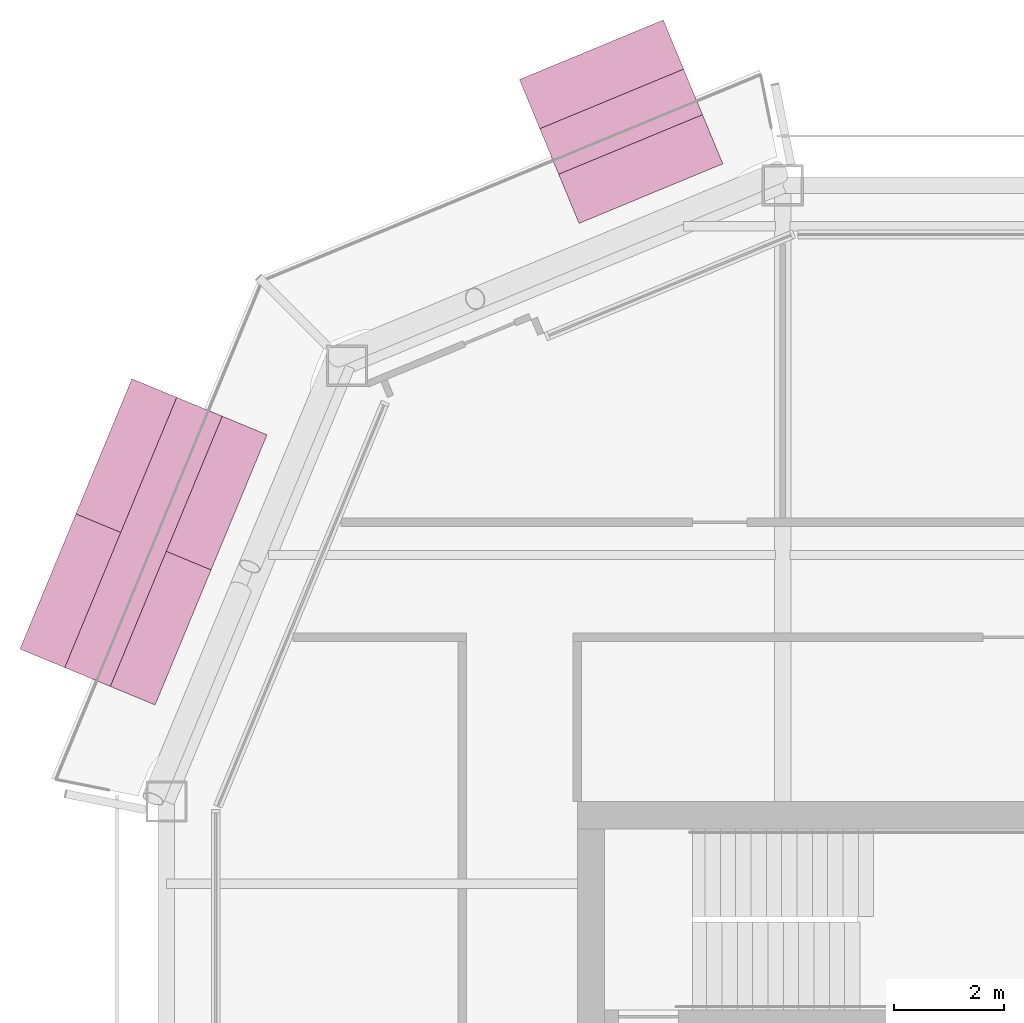
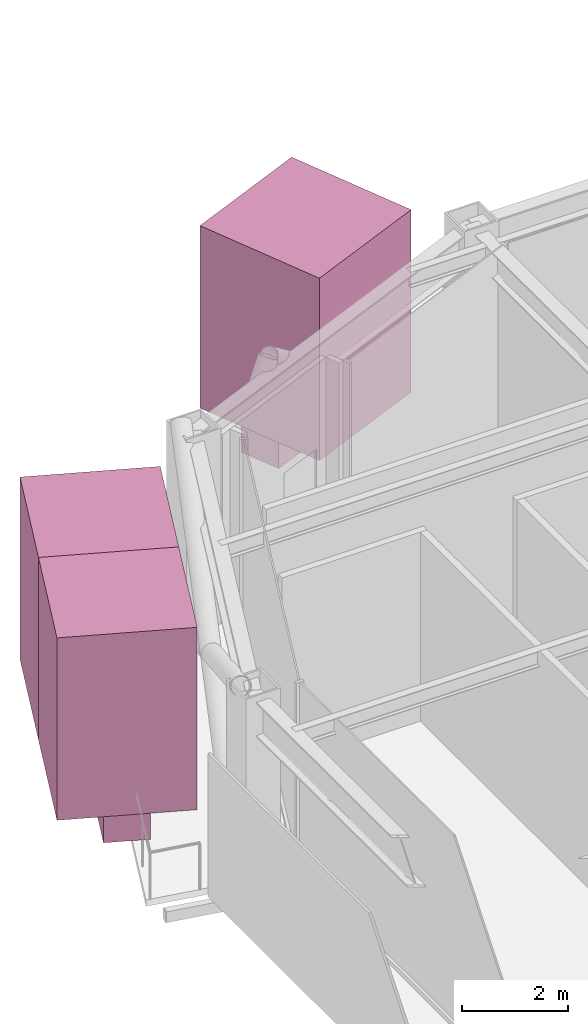
# One storey, part 21 of 21: 5 furnishings.
"""IFC4 building model written with IfcOpenShell, lengths in metres."""

import ifcopenshell
import ifcopenshell.guid

model = None  # the IFC model being written
_history = None  # IfcOwnerHistory: only IFC2X3 demands one
_inside = {}  # id of a spatial element -> (the spatial element, [elements in it])
_under = {}  # id of a project, library or spatial element -> (it, [spatial elements below it])
_declared = {}  # id of a project -> (the project, [libraries it declares])
_typed = {}  # id of a type object -> (the type object, [elements of that type])
_made_of = {}  # id of a material, layer set ... -> (it, [elements and type objects made of it])


def new_model(schema):
    """Start an empty IFC model of exactly this schema.

    Asked for "IFC4X3", IfcOpenShell would pick the latest addendum, in which some entities
    have other attributes; the version numbers below select the first issue.
    IFC2X3 requires an IfcOwnerHistory on every rooted entity: one is made here for all.
    """
    global model, _history
    if schema == "IFC4X3":
        model = ifcopenshell.file(schema_version=(4, 3, 0, 0))
    else:
        model = ifcopenshell.file(schema=schema)
    _inside.clear()
    _under.clear()
    _declared.clear()
    _typed.clear()
    _made_of.clear()
    _history = None
    if model.schema == "IFC2X3":
        org = make("IfcOrganization", Name="unknown")
        user = make(
            "IfcPersonAndOrganization",
            ThePerson=make("IfcPerson", FamilyName="unknown"),
            TheOrganization=org,
        )
        app = make(
            "IfcApplication",
            ApplicationDeveloper=org,
            Version="unknown",
            ApplicationFullName="unknown",
            ApplicationIdentifier="unknown",
        )
        _history = make(
            "IfcOwnerHistory",
            OwningUser=user,
            OwningApplication=app,
            ChangeAction="ADDED",
            CreationDate=0,
        )
    return model


def make(cls, **values):
    """One entity of the class cls with the attributes given. An attribute that is None is left unset."""
    return model.create_entity(
        cls, **{name: value for name, value in values.items() if value is not None}
    )


def rooted(cls, **values):
    """An entity with a GlobalId (a new one), such as an element, a storey or a relation."""
    return make(cls, GlobalId=ifcopenshell.guid.new(), OwnerHistory=_history, **values)


def si_unit(unit_type, name, prefix=None):
    """IfcSIUnit, for example si_unit("LENGTHUNIT", "METRE", prefix="MILLI")."""
    return make("IfcSIUnit", UnitType=unit_type, Prefix=prefix, Name=name)


def assignment(units):
    """IfcUnitAssignment: the units of a project."""
    return None if units is None else make("IfcUnitAssignment", Units=units)


def point(xyz):
    """IfcCartesianPoint."""
    return None if xyz is None else make("IfcCartesianPoint", Coordinates=xyz)


def direction(xyz):
    """IfcDirection."""
    return None if xyz is None else make("IfcDirection", DirectionRatios=xyz)


def frame(location, z_axis=None, x_axis=None):
    """IfcAxis2Placement3D, a coordinate frame: its origin and axes. An axis left out is left unset."""
    return make(
        "IfcAxis2Placement3D",
        Location=point(location),
        Axis=direction(z_axis),
        RefDirection=direction(x_axis),
    )


def frame_2d(location, x_axis=None):
    """IfcAxis2Placement2D, a coordinate frame in the plane: its origin and x axis."""
    return make(
        "IfcAxis2Placement2D", Location=point(location), RefDirection=direction(x_axis)
    )


def origin():
    """The frame at (0, 0, 0) with its axes left unset."""
    return frame((0.0, 0.0, 0.0))


def origin_2d():
    """The frame at (0, 0) in the plane with its x axis left unset."""
    return frame_2d((0.0, 0.0))


def place(relative_to, where):
    """IfcLocalPlacement: puts the frame where relative to a parent placement (None: the world)."""
    return make(
        "IfcLocalPlacement", PlacementRelTo=relative_to, RelativePlacement=where
    )


def context(
    kind, dimensions, precision=None, world=None, true_north=None, identifier=None
):
    """IfcGeometricRepresentationContext, for example the 3D "Model" context."""
    return make(
        "IfcGeometricRepresentationContext",
        ContextIdentifier=identifier,
        ContextType=kind,
        CoordinateSpaceDimension=dimensions,
        Precision=precision,
        WorldCoordinateSystem=world,
        TrueNorth=true_north,
    )


def subcontext(parent, identifier, kind, view, scale=None):
    """IfcGeometricRepresentationSubContext, for example "Body" below "Model"."""
    return make(
        "IfcGeometricRepresentationSubContext",
        ContextIdentifier=identifier,
        ContextType=kind,
        ParentContext=parent,
        TargetScale=scale,
        TargetView=view,
    )


def project(units=None, contexts=None):
    """IfcProject with its units and contexts."""
    return rooted(
        "IfcProject",
        Name="project",
        RepresentationContexts=contexts,
        UnitsInContext=assignment(units),
    )


def spatial(cls, under=None, at=None, **own):
    """A site, building, storey or space (cls), placed at a placement, below another one or the project."""
    s = rooted(cls, ObjectPlacement=at, **own)
    if under is not None:
        _under.setdefault(under.id(), (under, []))[1].append(s)
    return s


def profile(cls, at=None, kind="AREA", **sizes):
    """A parametric profile (cls). Its sizes go by their IFC names, for example OverallWidth=200.0."""
    return make(cls, ProfileType=kind, Position=at, **sizes)


def rectangle(**sizes):
    """IfcRectangleProfileDef."""
    return profile("IfcRectangleProfileDef", **sizes)


def extrude(swept, where, along, depth):
    """IfcExtrudedAreaSolid: the profile swept, set in the frame where, extruded along a direction by depth."""
    return make(
        "IfcExtrudedAreaSolid",
        SweptArea=swept,
        Position=where,
        ExtrudedDirection=direction(along),
        Depth=depth,
    )


def shape(context_of_items, identifier, shape_type, items):
    """IfcShapeRepresentation: the items that make up one representation, for example the "Body"."""
    return make(
        "IfcShapeRepresentation",
        ContextOfItems=context_of_items,
        RepresentationIdentifier=identifier,
        RepresentationType=shape_type,
        Items=items,
    )


def material(Name=None, Category=None):
    """IfcMaterial."""
    return make("IfcMaterial", Name=Name, Category=Category)


def made_of(thing, what):
    """Note that an element or type object is made of a material, layer set ...; save() writes the relation."""
    if what is not None:
        _made_of.setdefault(what.id(), (what, []))[1].append(thing)
    return thing


def type_object(cls, material=None, **own):
    """A type object (cls), such as IfcWallType, which elements share."""
    return made_of(rooted(cls, **own), material)


def element(
    cls,
    number,
    at=None,
    inside=None,
    cuts=None,
    type_object=None,
    material=None,
    context=None,
    identifier="Body",
    shape_type=None,
    held_by="IfcProductDefinitionShape",
    body=None,
    shapes=None,
    **own,
):
    """One element of the class cls, such as IfcWall. Its Tag is "e" and its number.

    at: its placement. inside: the storey or other place that contains it. cuts: it is an
    opening in that element (IfcRelVoidsElement). A single representation is given by context,
    identifier, shape_type and body (its items); several are given by shapes. held_by: the class
    of the entity that holds the representations. save() writes the other relations.
    """
    e = rooted(cls, Tag="e%d" % number, ObjectPlacement=at, **own)
    if body is not None:
        shapes = [shape(context, identifier, shape_type, body)]
    if shapes is not None:
        e.Representation = make(held_by, Representations=shapes)
    if inside is not None:
        _inside.setdefault(inside.id(), (inside, []))[1].append(e)
    if cuts is not None:
        rooted(
            "IfcRelVoidsElement", RelatingBuildingElement=cuts, RelatedOpeningElement=e
        )
    if type_object is not None:
        _typed.setdefault(type_object.id(), (type_object, []))[1].append(e)
    return made_of(e, material)


def aggregate(whole, parts):
    """IfcRelAggregates: a whole, such as a stair, and the parts it consists of."""
    return rooted("IfcRelAggregates", RelatingObject=whole, RelatedObjects=parts)


def save(model, path):
    """Write the relations noted so far, then the file.

    IfcRelAggregates (storeys below a building ...), IfcRelContainedInSpatialStructure (elements
    in a storey), IfcRelDefinesByType, IfcRelAssociatesMaterial and IfcRelDeclares: one each for
    every whole, place, type object, material and project.
    """
    for whole, parts in _under.values():
        aggregate(whole, parts)
    for where, things in _inside.values():
        rooted(
            "IfcRelContainedInSpatialStructure",
            RelatedElements=things,
            RelatingStructure=where,
        )
    for kind, things in _typed.values():
        rooted("IfcRelDefinesByType", RelatedObjects=things, RelatingType=kind)
    for what, things in _made_of.values():
        rooted("IfcRelAssociatesMaterial", RelatedObjects=things, RelatingMaterial=what)
    for by, libraries in _declared.values():
        rooted("IfcRelDeclares", RelatingContext=by, RelatedDefinitions=libraries)
    model.write(path)


model = new_model("IFC4")

# Units and contexts
model_context = context("Model", 3, precision=1e-05, world=origin(), true_north=direction((0.0, 1.0)))
body_context = subcontext(model_context, "Body", "Model", "MODEL_VIEW")
ifc_project = project(units=[si_unit("LENGTHUNIT", "METRE"), si_unit("AREAUNIT", "SQUARE_METRE"), si_unit("VOLUMEUNIT", "CUBIC_METRE"), si_unit("PLANEANGLEUNIT", "RADIAN"), si_unit("MASSUNIT", "GRAM", prefix="KILO")], contexts=[model_context])

# Site, building, storey
site_placement = place(None, origin())
site = spatial("IfcSite", under=ifc_project, at=site_placement, CompositionType="ELEMENT")
building_placement = place(site_placement, origin())
building = spatial("IfcBuilding", under=site, at=building_placement, Name="Siwar Civic Tower", CompositionType="ELEMENT")
storey_placement = place(building_placement, frame((0.0, 0.0, 294.199951171875)))
storey = spatial("IfcBuildingStorey", under=building, at=storey_placement, Name="L63", CompositionType="ELEMENT", Elevation=294.199951171875)

# Furnishings
ifc_material_1 = material(Name="Planting soil and foliage")
furnishing_element_type_1 = type_object("IfcFurnishingElementType", Name="ENV-PLANTER", material=ifc_material_1)
furnishing_1_placement = place(storey_placement, frame((-16.449951171875, 25.909423828125, 0.0), z_axis=(0.0, 0.0, 1.0), x_axis=(-0.923879532511, -0.382683432365, 0.0)))
element("IfcFurnishingElement", 1, at=furnishing_1_placement, inside=storey, type_object=furnishing_element_type_1, Name="PLANTER NW 1", context=body_context, shape_type="SweptSolid", body=[
    extrude(rectangle(XDim=2.84130859375, YDim=0.89990234375, at=origin_2d()), origin(), (0.0, 0.0, 1.0), 0.60009765625),
])
furnishing_2_placement = place(storey_placement, frame((-25.16796875, 18.23974609375, 0.0), z_axis=(0.0, 0.0, 1.0), x_axis=(-0.382683432365, -0.923879532511, 0.0)))
element("IfcFurnishingElement", 2, at=furnishing_2_placement, inside=storey, type_object=furnishing_element_type_1, Name="PLANTER NW 2", context=body_context, shape_type="SweptSolid", body=[
    extrude(rectangle(XDim=5.33837890625, YDim=0.89990234375, at=origin_2d()), origin(), (0.0, 0.0, 1.0), 0.60009765625),
])
ifc_material_2 = material(Name="Planting soil and foliage")
furnishing_element_type_2 = type_object("IfcFurnishingElementType", Name="ENV-TREE", material=ifc_material_2)
furnishing_3_placement = place(storey_placement, frame((-16.449951171875, 25.909423828125, 0.60009765625), z_axis=(0.0, 0.0, 1.0), x_axis=(-0.923879532511, -0.382683432365, 0.0)))
element("IfcFurnishingElement", 3, at=furnishing_3_placement, inside=storey, type_object=furnishing_element_type_2, Name="PLANTER (TREE) NW 1.1", context=body_context, shape_type="SweptSolid", body=[
    extrude(rectangle(XDim=2.84130859375, YDim=2.84130859375, at=origin_2d()), origin(), (0.0, 0.0, 1.0), 4.199951171875),
])
for number, where, z_axis, x_axis, name in (
    (4, (-24.6572265625, 19.472900390625, 0.60009765625), (0.0, 0.0, 1.0), (-0.382683432365, -0.923879532511, 0.0), "PLANTER (TREE) NW 2.1"),
    (5, (-25.6787109375, 17.0068359375, 0.60009765625), (0.0, 0.0, 1.0), (-0.382683432365, -0.923879532511, 0.0), "PLANTER (TREE) NW 2.2"),
):
    element("IfcFurnishingElement", number, at=place(storey_placement, frame(where, z_axis=z_axis, x_axis=x_axis)), inside=storey, type_object=furnishing_element_type_2, Name=name, context=body_context, shape_type="SweptSolid", body=[
        extrude(rectangle(XDim=2.669189453125, YDim=2.669189453125, at=origin_2d()), origin(), (0.0, 0.0, 1.0), 4.199951171875),
    ])

save(model, "model.ifc")
